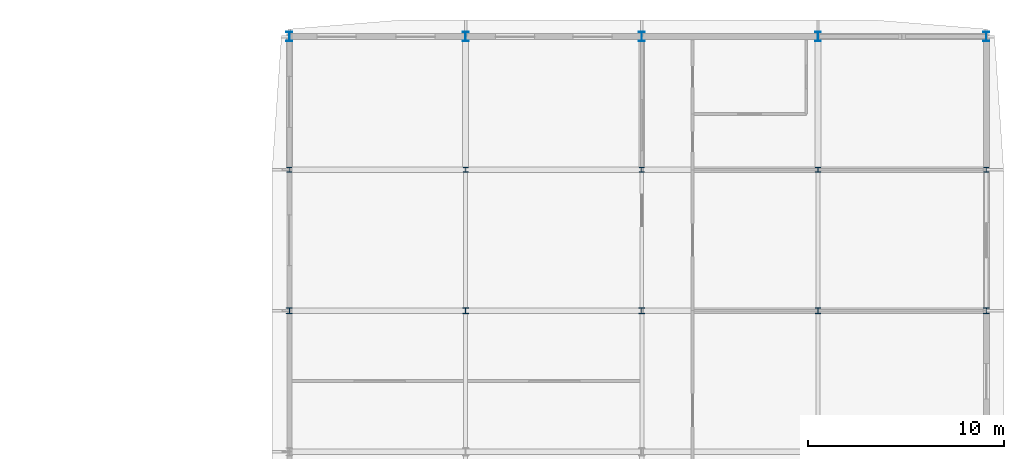
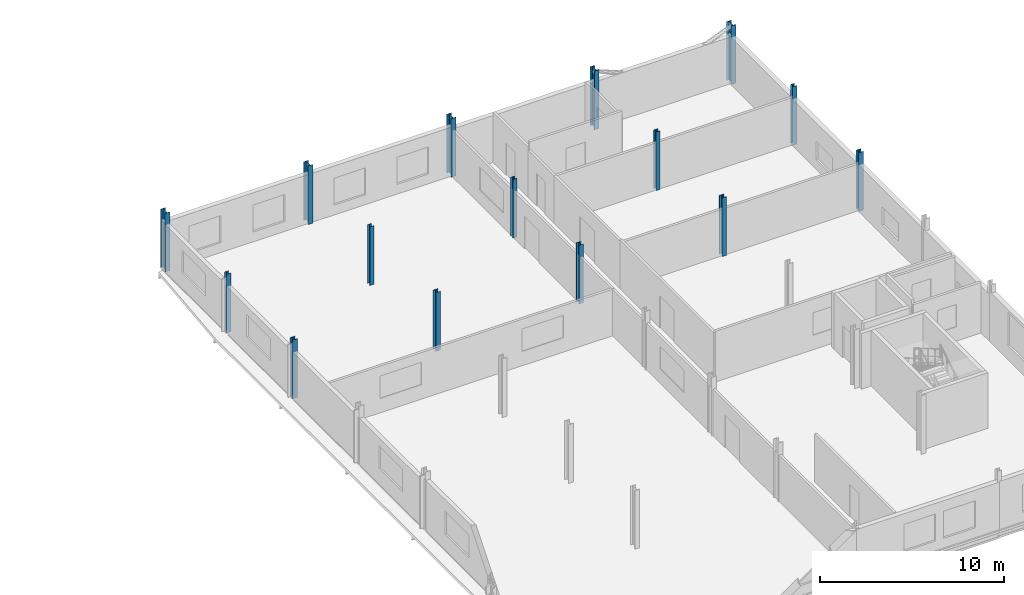
# One storey, part 7 of 49: 15 columns.
"""IFC4 building model written with IfcOpenShell, lengths in metres."""

from ifc_helpers import new_model, si_unit, direction, frame, origin, origin_2d, place, context, subcontext, project, spatial, i_section, extrude, material, material_profile, profile_set, type_object, element, save


model = new_model("IFC4")

# Units and contexts
model_context = context("Model", 3, precision=1e-05, world=origin(), true_north=direction((0.0, 1.0)))
body_context = subcontext(model_context, "Body", "Model", "MODEL_VIEW")
ifc_project = project(units=[si_unit("LENGTHUNIT", "METRE"), si_unit("AREAUNIT", "SQUARE_METRE"), si_unit("VOLUMEUNIT", "CUBIC_METRE"), si_unit("PLANEANGLEUNIT", "RADIAN"), si_unit("MASSUNIT", "GRAM", prefix="KILO")], contexts=[model_context])

# Site, building, storey
site_placement = place(None, origin())
site = spatial("IfcSite", under=ifc_project, at=site_placement, CompositionType="ELEMENT")
building_placement = place(site_placement, origin())
building = spatial("IfcBuilding", under=site, at=building_placement, Name="Vinh Khe Railworks Police Headquarters", CompositionType="ELEMENT")
storey_placement = place(building_placement, frame((0.0, 0.0, 17.10009765625)))
storey = spatial("IfcBuildingStorey", under=building, at=storey_placement, Name="L04", CompositionType="ELEMENT", Elevation=17.10009765625)

# Columns
ifc_material = material(Name="Steel S355JR", Category="steel")
ifc_material_profile_1 = material_profile(ifc_material, i_section(OverallWidth=0.300048828125, OverallDepth=0.489990234375, WebThickness=0.011962890625, FlangeThickness=0.02294921875, FilletRadius=0.027099609375, at=origin_2d()), Name="HEA 500")
ifc_profile_set_1 = profile_set([ifc_material_profile_1], Name="Steel S355JR")
column_type_1 = type_object("IfcColumnType", Name="Steel Column HEA 500", PredefinedType="COLUMN", material=ifc_profile_set_1)
for number, where, z_axis, x_axis, name in (
    (1, (78.0, 166.39990234375, 0.0), (0.0, 0.0, 1.0), (1.0, 0.0, 0.0), "Column COL-L04-SC-13-1210"),
    (2, (87.0, 166.39990234375, 0.0), (0.0, 0.0, 1.0), (1.0, 0.0, 0.0), "Column COL-L04-SC-13-1271"),
    (3, (96.0, 166.39990234375, 0.0), (0.0, 0.0, 1.0), (1.0, 0.0, 0.0), "Column COL-L04-SC-13-1332"),
    (4, (105.0, 166.39990234375, 0.0), (0.0, 0.0, 1.0), (1.0, 0.0, 0.0), "Column COL-L04-SC-13-1393"),
    (5, (113.60009765625, 166.39990234375, 0.0), (0.0, 0.0, 1.0), (1.0, 0.0, 0.0), "Column COL-L04-SC-13-1454"),
):
    element("IfcColumn", number, at=place(storey_placement, frame(where, z_axis=z_axis, x_axis=x_axis)), inside=storey, type_object=column_type_1, Name=name, PredefinedType="COLUMN", context=body_context, shape_type="SweptSolid", body=[
        extrude(i_section(OverallWidth=0.300048828125, OverallDepth=0.489990234375, WebThickness=0.011962890625, FlangeThickness=0.02294921875, FilletRadius=0.027099609375, at=origin_2d()), origin(), (0.0, 0.0, 1.0), 3.89990234375),
    ])
ifc_material_profile_2 = material_profile(ifc_material, i_section(OverallWidth=0.260009765625, OverallDepth=0.260009765625, WebThickness=0.010009765625, FlangeThickness=0.017578125, FilletRadius=0.02392578125, at=origin_2d()), Name="HEB 260")
ifc_profile_set_2 = profile_set([ifc_material_profile_2], Name="Steel S355JR")
column_type_2 = type_object("IfcColumnType", Name="Steel Column HEB 260", PredefinedType="COLUMN", material=ifc_profile_set_2)
for number, where, z_axis, x_axis, name in (
    (6, (78.0, 159.60009765625, 0.0), (0.0, 0.0, 1.0), (1.0, 0.0, 0.0), "Column COL-L04-SC-12-1203"),
    (7, (87.0, 159.60009765625, 0.0), (0.0, 0.0, 1.0), (1.0, 0.0, 0.0), "Column COL-L04-SC-12-1264"),
    (8, (96.0, 159.60009765625, 0.0), (0.0, 0.0, 1.0), (1.0, 0.0, 0.0), "Column COL-L04-SC-12-1325"),
    (9, (105.0, 159.60009765625, 0.0), (0.0, 0.0, 1.0), (1.0, 0.0, 0.0), "Column COL-L04-SC-12-1386"),
    (10, (113.60009765625, 159.60009765625, 0.0), (0.0, 0.0, 1.0), (1.0, 0.0, 0.0), "Column COL-L04-SC-12-1447"),
):
    element("IfcColumn", number, at=place(storey_placement, frame(where, z_axis=z_axis, x_axis=x_axis)), inside=storey, type_object=column_type_2, Name=name, PredefinedType="COLUMN", context=body_context, shape_type="SweptSolid", body=[
        extrude(i_section(OverallWidth=0.260009765625, OverallDepth=0.260009765625, WebThickness=0.010009765625, FlangeThickness=0.017578125, FilletRadius=0.02392578125, at=origin_2d()), origin(), (0.0, 0.0, 1.0), 3.89990234375),
    ])
ifc_material_profile_3 = material_profile(ifc_material, i_section(OverallWidth=0.300048828125, OverallDepth=0.300048828125, WebThickness=0.010986328125, FlangeThickness=0.01904296875, FilletRadius=0.027099609375, at=origin_2d()), Name="HEB 300")
ifc_profile_set_3 = profile_set([ifc_material_profile_3], Name="Steel S355JR")
column_type_3 = type_object("IfcColumnType", Name="Steel Column HEB 300", PredefinedType="COLUMN", material=ifc_profile_set_3)
for number, where, z_axis, x_axis, name in (
    (11, (78.0, 152.39990234375, 0.0), (0.0, 0.0, 1.0), (1.0, 0.0, 0.0), "Column COL-L04-SC-11-1196"),
    (12, (87.0, 152.39990234375, 0.0), (0.0, 0.0, 1.0), (1.0, 0.0, 0.0), "Column COL-L04-SC-11-1257"),
    (13, (96.0, 152.39990234375, 0.0), (0.0, 0.0, 1.0), (1.0, 0.0, 0.0), "Column COL-L04-SC-11-1318"),
    (14, (105.0, 152.39990234375, 0.0), (0.0, 0.0, 1.0), (1.0, 0.0, 0.0), "Column COL-L04-SC-11-1379"),
    (15, (113.60009765625, 152.39990234375, 0.0), (0.0, 0.0, 1.0), (1.0, 0.0, 0.0), "Column COL-L04-SC-11-1440"),
):
    element("IfcColumn", number, at=place(storey_placement, frame(where, z_axis=z_axis, x_axis=x_axis)), inside=storey, type_object=column_type_3, Name=name, PredefinedType="COLUMN", context=body_context, shape_type="SweptSolid", body=[
        extrude(i_section(OverallWidth=0.300048828125, OverallDepth=0.300048828125, WebThickness=0.010986328125, FlangeThickness=0.01904296875, FilletRadius=0.027099609375, at=origin_2d()), origin(), (0.0, 0.0, 1.0), 3.89990234375),
    ])

save(model, "model.ifc")
